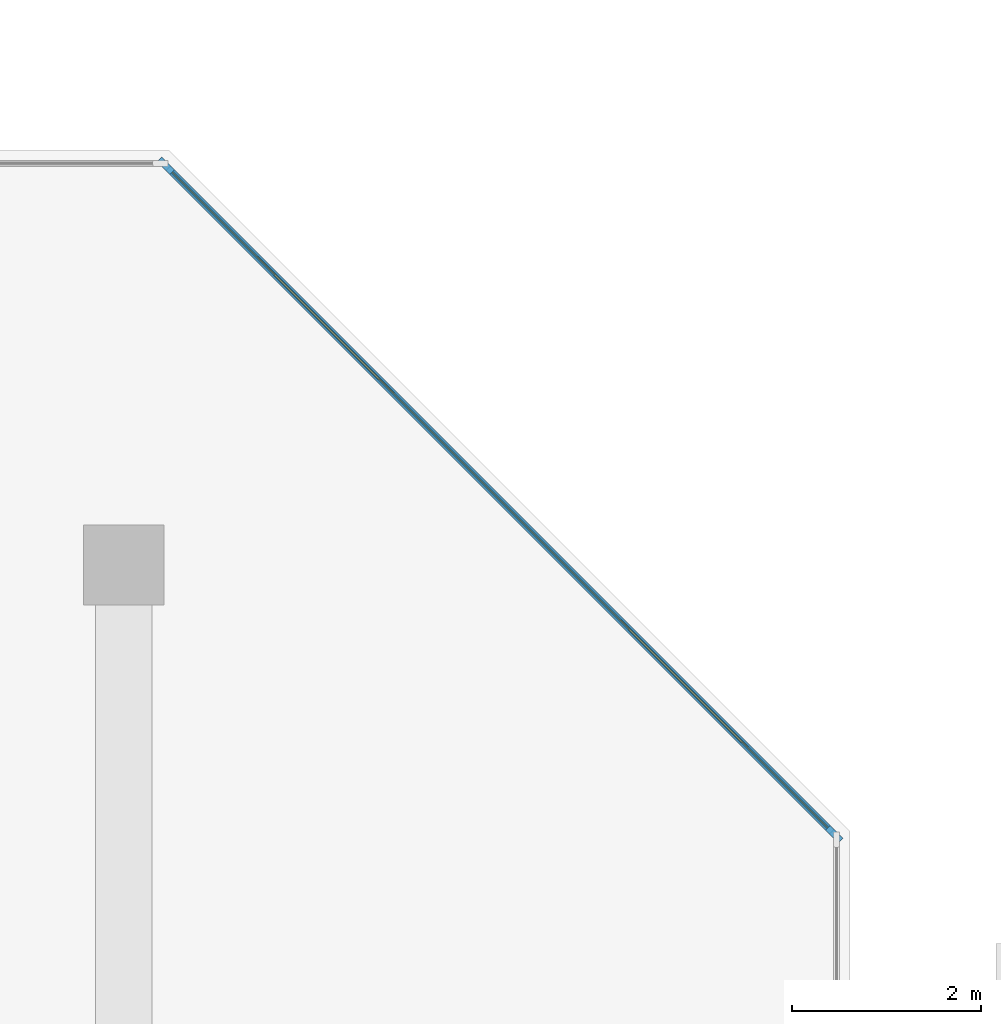
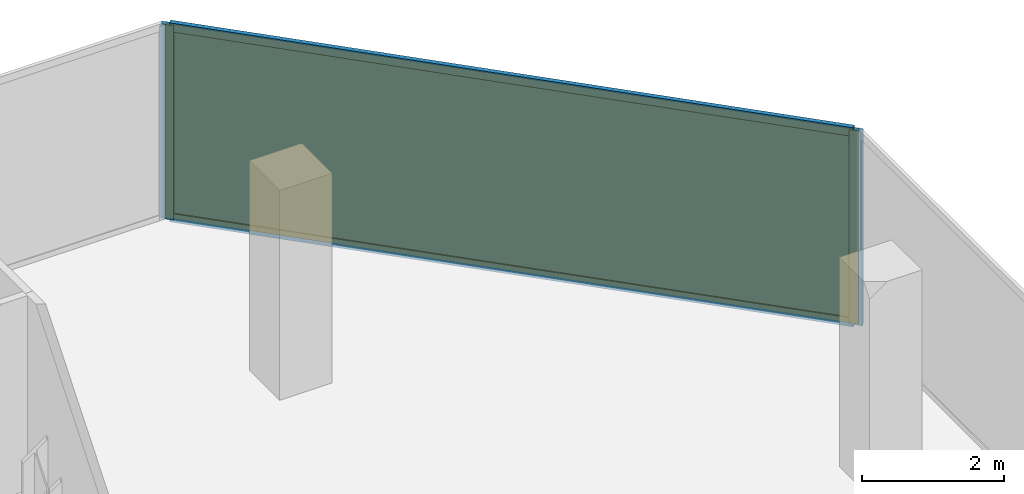
# One storey, part 12 of 15: 4 members, 1 curtain wall, 1 plate.
"""IFC4 building model written with IfcOpenShell, lengths in metres."""

from ifc_helpers import new_model, si_unit, direction, frame, frame_2d, origin, origin_2d, place, context, subcontext, project, spatial, rectangle, extrude, material, layer, layer_set, material_profile, profile_set, type_object, element, aggregate, save


model = new_model("IFC4")

# Units and contexts
model_context = context("Model", 3, precision=1e-05, world=origin(), true_north=direction((0.0, 1.0)))
body_context = subcontext(model_context, "Body", "Model", "MODEL_VIEW")
ifc_project = project(units=[si_unit("LENGTHUNIT", "METRE"), si_unit("AREAUNIT", "SQUARE_METRE"), si_unit("VOLUMEUNIT", "CUBIC_METRE"), si_unit("PLANEANGLEUNIT", "RADIAN"), si_unit("MASSUNIT", "GRAM", prefix="KILO")], contexts=[model_context])

# Member
ifc_material_1 = material(Name="Anodised Bronze Aluminium 6063-T6", Category="aluminium")
ifc_material_profile_1 = material_profile(ifc_material_1, rectangle(XDim=0.070068359375, YDim=0.18994140625, at=origin_2d()))
ifc_profile_set_1 = profile_set([ifc_material_profile_1], Name="Anodised Bronze Aluminium 6063-T6")
member_type_1 = type_object("IfcMemberType", Name="CW-SLC Mullion 70x190", PredefinedType="MULLION", material=ifc_profile_set_1)
site_placement = place(None, origin())
building_placement = place(site_placement, origin())
storey_placement = place(building_placement, frame((0.0, 0.0, 254.800048828125)))
member_1_placement = place(storey_placement, frame((14.8466796875, 24.835205078125, 0.0), z_axis=(0.0, 0.0, 1.0), x_axis=(0.707106781187, 0.707106781187, 0.0)))
member_1 = element("IfcMember", 1, at=member_1_placement, type_object=member_type_1, Name="CW-SLC mullion 1", PredefinedType="MULLION", context=body_context, shape_type="SweptSolid", body=[
    extrude(rectangle(XDim=0.070068359375, YDim=0.18994140625, at=origin_2d()), origin(), (0.0, 0.0, 1.0), 3.33984375),
])

member_2_placement = place(storey_placement, frame((21.935302734375, 17.746826171875, 0.0), z_axis=(0.0, 0.0, 1.0), x_axis=(0.707106781187, 0.707106781187, 0.0)))
member_2 = element("IfcMember", 2, at=member_2_placement, type_object=member_type_1, Name="CW-SLC mullion 2", PredefinedType="MULLION", context=body_context, shape_type="SweptSolid", body=[
    extrude(rectangle(XDim=0.070068359375, YDim=0.18994140625, at=origin_2d()), origin(), (0.0, 0.0, 1.0), 3.33984375),
])

ifc_material_2 = material(Name="Anodised Bronze Aluminium 6063-T6", Category="aluminium")
ifc_material_profile_2 = material_profile(ifc_material_2, rectangle(XDim=0.070068359375, YDim=0.14990234375, at=origin_2d()))
ifc_profile_set_2 = profile_set([ifc_material_profile_2], Name="Anodised Bronze Aluminium 6063-T6")
member_type_2 = type_object("IfcMemberType", Name="CW-SLC Transom 70x150", PredefinedType="USERDEFINED", material=ifc_profile_set_2)
member_3_placement = place(storey_placement, frame((14.87158203125, 24.810546875, 0.034912109375), z_axis=(0.707094518333, -0.707119043827, 0.0), x_axis=(0.707119043827, 0.707094518333, 0.0)))
member_3 = element("IfcMember", 3, at=member_3_placement, type_object=member_type_2, Name="CW-SLC transom 1.1", ObjectType="TRANSOM", PredefinedType="USERDEFINED", context=body_context, shape_type="SweptSolid", body=[
    extrude(rectangle(XDim=0.070068359375, YDim=0.14990234375, at=origin_2d()), origin(), (0.0, 0.0, 1.0), 9.95458984375),
])

member_4_placement = place(storey_placement, frame((14.87158203125, 24.810546875, 3.304931640625), z_axis=(0.707094518333, -0.707119043827, 0.0), x_axis=(0.707119043827, 0.707094518333, 0.0)))
member_4 = element("IfcMember", 4, at=member_4_placement, type_object=member_type_2, Name="CW-SLC transom 1.2", ObjectType="TRANSOM", PredefinedType="USERDEFINED", context=body_context, shape_type="SweptSolid", body=[
    extrude(rectangle(XDim=0.070068359375, YDim=0.14990234375, at=origin_2d()), origin(), (0.0, 0.0, 1.0), 9.95458984375),
])

# Plate
ifc_material_3 = material(Name="Low-E Solar Control Laminated Glass", Category="glass")
ifc_layer_1 = layer(ifc_material_3, 0.033935546875, Name="Low-E Solar Control Laminated Glass")
ifc_layer_set_1 = layer_set([ifc_layer_1], Name="Low-E Solar Control Laminated Glass")
plate_type = type_object("IfcPlateType", Name="CW-SLC Low-E Double Glazed Panel 34mm", PredefinedType="CURTAIN_PANEL", material=ifc_layer_set_1)
plate_placement = place(storey_placement, frame((18.39111328125, 21.291015625, 0.06982421875), z_axis=(0.0, 0.0, 1.0), x_axis=(0.707106781187, -0.707106781187, 0.0)))
plate = element("IfcPlate", 5, at=plate_placement, type_object=plate_type, Name="CW-SLC panel 1.1", PredefinedType="CURTAIN_PANEL", context=body_context, shape_type="SweptSolid", body=[
    extrude(rectangle(XDim=9.95458984375, YDim=0.033935546875, at=origin_2d()), origin(), (0.0, 0.0, 1.0), 3.199951171875),
])

# Site, building, storey
site = spatial("IfcSite", under=ifc_project, at=site_placement, CompositionType="ELEMENT")
building = spatial("IfcBuilding", under=site, at=building_placement, Name="Khairoan Windgate Tower", CompositionType="ELEMENT")
storey = spatial("IfcBuildingStorey", under=building, at=storey_placement, Name="L60", CompositionType="ELEMENT", Elevation=254.800048828125)

# Curtain wall
ifc_material_4 = material(Name="Anodised Bronze Aluminium 6063-T6", Category="aluminium")
ifc_layer_2 = layer(ifc_material_4, 0.18994140625, Name="Anodised Bronze Aluminium 6063-T6")
ifc_layer_set_2 = layer_set([ifc_layer_2], Name="Anodised Bronze Aluminium 6063-T6")
curtain_wall_type = type_object("IfcCurtainWallType", Name="Diagonal Corner-Slice Facet Curtain Wall CW-SLC", PredefinedType="NOTDEFINED", material=ifc_layer_set_2)
curtain_wall_placement = place(storey_placement, frame((14.822021484375, 24.860107421875, 0.0), z_axis=(0.0, 0.0, 1.0), x_axis=(0.70709468862, -0.707118873546, 0.0)))
curtain_wall = element("IfcCurtainWall", 6, at=curtain_wall_placement, inside=storey, type_object=curtain_wall_type, Name="L60 Crystal Slice Curtain Wall 10", PredefinedType="NOTDEFINED", context=body_context, shape_type="SweptSolid", body=[
    extrude(rectangle(XDim=10.0947265625, YDim=0.010009765625, at=frame_2d((5.04736328125, 0.0))), origin(), (0.0, 0.0, 1.0), 3.33984375),
])

aggregate(curtain_wall, [member_1, member_2, member_3, member_4, plate])

save(model, "model.ifc")
